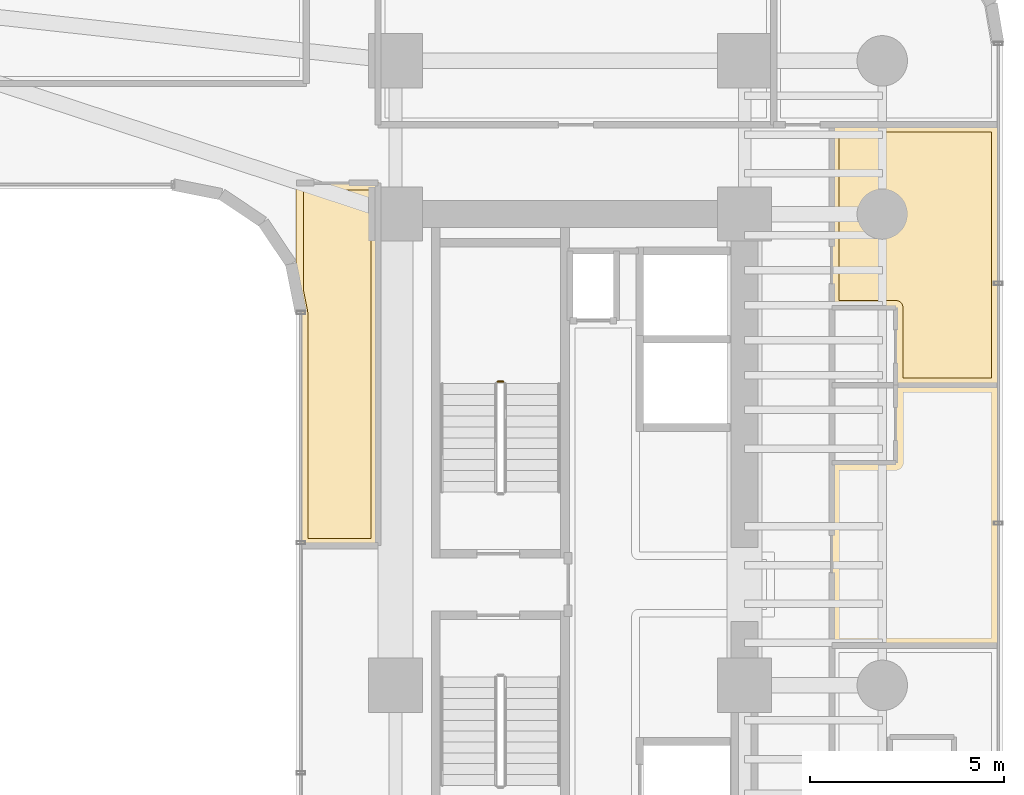
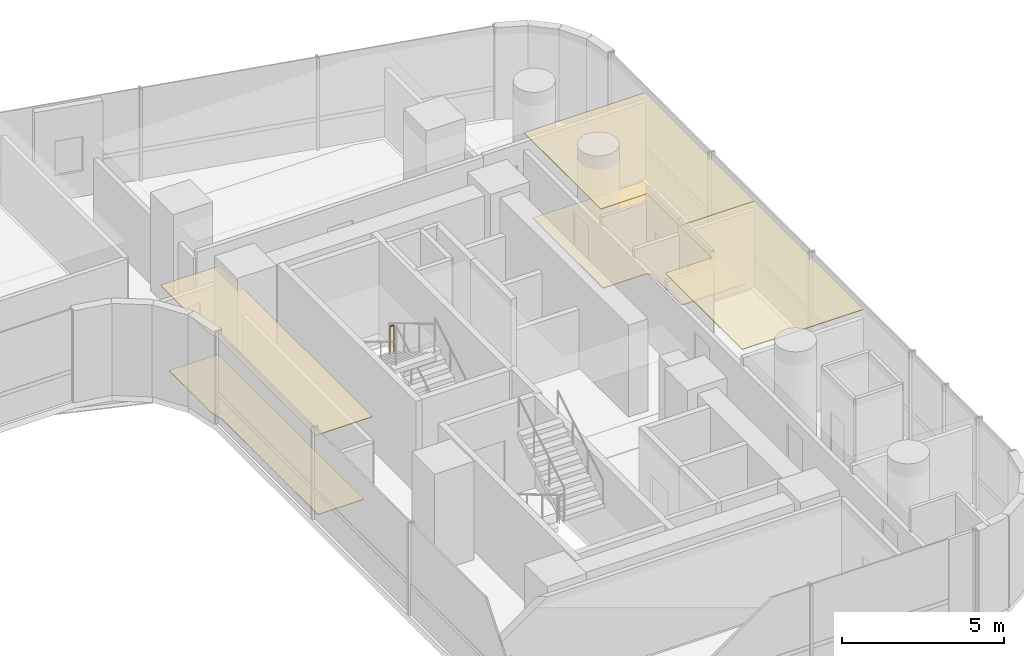
# One storey, part 38 of 39: 5 coverings, 1 railing.
"""IFC4 building model written with IfcOpenShell, lengths in metres."""

from ifc_helpers import new_model, si_unit, direction, frame, origin, origin_2d, place, context, subcontext, project, spatial, polyline, circle, outline, extrude, material, layer, layer_set, type_object, element, save


model = new_model("IFC4")

# Units and contexts
model_context = context("Model", 3, precision=1e-05, world=origin(), true_north=direction((0.0, 1.0)))
body_context = subcontext(model_context, "Body", "Model", "MODEL_VIEW")
ifc_project = project(units=[si_unit("LENGTHUNIT", "METRE"), si_unit("AREAUNIT", "SQUARE_METRE"), si_unit("VOLUMEUNIT", "CUBIC_METRE"), si_unit("PLANEANGLEUNIT", "RADIAN"), si_unit("MASSUNIT", "GRAM", prefix="KILO")], contexts=[model_context])

# Site, building, storey
site_placement = place(None, origin())
site = spatial("IfcSite", under=ifc_project, at=site_placement, CompositionType="ELEMENT")
building_placement = place(site_placement, origin())
building = spatial("IfcBuilding", under=site, at=building_placement, Name="Valdorenza Pilgrim Sanctuary Tower", CompositionType="ELEMENT")
storey_placement = place(building_placement, frame((0.0, 0.0, 70.39990234375)))
storey = spatial("IfcBuildingStorey", under=building, at=storey_placement, Name="L17", CompositionType="ELEMENT", Elevation=70.39990234375)

# Coverings
ifc_material_1 = material(Name="Micro-perforated acoustic mineral ceiling tile", Category="gypsum")
ifc_layer_1 = layer(ifc_material_1, 0.02490234375, Name="Micro-perforated acoustic mineral ceiling tile")
ifc_layer_set_1 = layer_set([ifc_layer_1], Name="Micro-perforated acoustic mineral ceiling tile")
covering_type_1 = type_object("IfcCoveringType", Name="COV-CLG-ACU", PredefinedType="CEILING", material=ifc_layer_set_1)
covering_1_placement = place(storey_placement, frame((0.0, 0.0, 3.16015625)))
element("IfcCovering", 1, at=covering_1_placement, inside=storey, type_object=covering_type_1, Name="L17 East Sanctuary Guest Room L17-EG3 Acoustic Ceiling", PredefinedType="CEILING", context=body_context, shape_type="SweptSolid", body=[
    extrude(outline(polyline([(27.0849609375, 3.135986328125), (27.085205078125, 3.137451171875), (27.085205078125, 3.138916015625), (27.085693359375, 3.140380859375), (27.086181640625, 3.1416015625), (27.0869140625, 3.14306640625), (27.08740234375, 3.144287109375), (27.08837890625, 3.1455078125), (27.08935546875, 3.146484375), (27.090576171875, 3.147705078125), (27.091796875, 3.1484375), (27.093017578125, 3.149169921875), (27.09423828125, 3.14990234375), (27.095703125, 3.150390625), (27.09716796875, 3.150634765625), (27.098388671875, 3.15087890625), (27.10009765625, 3.15087890625), (28.737060546875, 3.15087890625), (28.737060546875, 5.137939453125), (28.737060546875, 5.139404296875), (28.7373046875, 5.140869140625), (28.737548828125, 5.142333984375), (28.738037109375, 5.143798828125), (28.73876953125, 5.14501953125), (28.739501953125, 5.146240234375), (28.740478515625, 5.1474609375), (28.741455078125, 5.148681640625), (28.742431640625, 5.149658203125), (28.74365234375, 5.150390625), (28.744873046875, 5.151123046875), (28.746337890625, 5.15185546875), (28.74755859375, 5.15234375), (28.7490234375, 5.152587890625), (28.75048828125, 5.15283203125), (28.751953125, 5.153076171875), (31.389892578125, 5.153076171875), (31.3916015625, 5.15283203125), (31.392822265625, 5.152587890625), (31.394287109375, 5.15234375), (31.395751953125, 5.15185546875), (31.397216796875, 5.151123046875), (31.398193359375, 5.150390625), (31.3994140625, 5.149658203125), (31.400634765625, 5.148681640625), (31.401611328125, 5.1474609375), (31.402587890625, 5.146240234375), (31.4033203125, 5.14501953125), (31.40380859375, 5.143798828125), (31.404296875, 5.142333984375), (31.40478515625, 5.140869140625), (31.40478515625, 5.139404296875), (31.405029296875, 5.137939453125), (31.405029296875, -1.572998046875), (31.40478515625, -1.574462890625), (31.40478515625, -1.575927734375), (31.404296875, -1.577392578125), (31.40380859375, -1.57861328125), (31.4033203125, -1.580078125), (31.402587890625, -1.581298828125), (31.401611328125, -1.58251953125), (31.400634765625, -1.58349609375), (31.3994140625, -1.584716796875), (31.398193359375, -1.58544921875), (31.397216796875, -1.586181640625), (31.395751953125, -1.5869140625), (31.394287109375, -1.58740234375), (31.392822265625, -1.587646484375), (31.3916015625, -1.587890625), (31.389892578125, -1.587890625), (27.10009765625, -1.587890625), (27.098388671875, -1.587890625), (27.09716796875, -1.587646484375), (27.095703125, -1.58740234375), (27.09423828125, -1.5869140625), (27.093017578125, -1.586181640625), (27.091796875, -1.58544921875), (27.090576171875, -1.584716796875), (27.08935546875, -1.58349609375), (27.08837890625, -1.58251953125), (27.08740234375, -1.581298828125), (27.0869140625, -1.580078125), (27.086181640625, -1.57861328125), (27.085693359375, -1.577392578125), (27.085205078125, -1.575927734375), (27.085205078125, -1.574462890625), (27.0849609375, -1.572998046875), (27.0849609375, 3.135986328125)])), origin(), (0.0, 0.0, 1.0), 0.02490234375),
])
covering_2_placement = place(storey_placement, frame((0.0, 0.0, 3.16015625)))
element("IfcCovering", 2, at=covering_2_placement, inside=storey, type_object=covering_type_1, Name="L17 East Sanctuary Guest Room L17-EG4 Acoustic Ceiling", PredefinedType="CEILING", context=body_context, shape_type="SweptSolid", body=[
    extrude(outline(polyline([(28.737060546875, 7.125), (27.10009765625, 7.125), (27.098388671875, 7.125), (27.09716796875, 7.125244140625), (27.095703125, 7.12548828125), (27.09423828125, 7.126220703125), (27.093017578125, 7.126708984375), (27.091796875, 7.12744140625), (27.090576171875, 7.12841796875), (27.08935546875, 7.12939453125), (27.08837890625, 7.130615234375), (27.08740234375, 7.131591796875), (27.0869140625, 7.1328125), (27.086181640625, 7.13427734375), (27.085693359375, 7.135498046875), (27.085205078125, 7.13720703125), (27.085205078125, 7.138427734375), (27.0849609375, 7.139892578125), (27.0849609375, 11.847900390625), (27.085205078125, 11.849609375), (27.085205078125, 11.850830078125), (27.085693359375, 11.852294921875), (27.086181640625, 11.853759765625), (27.0869140625, 11.85498046875), (27.08740234375, 11.856201171875), (27.08837890625, 11.857421875), (27.08935546875, 11.858642578125), (27.090576171875, 11.859619140625), (27.091796875, 11.860595703125), (27.093017578125, 11.861083984375), (27.09423828125, 11.86181640625), (27.095703125, 11.8623046875), (27.09716796875, 11.86279296875), (27.098388671875, 11.86279296875), (27.10009765625, 11.863037109375), (31.389892578125, 11.863037109375), (31.3916015625, 11.86279296875), (31.392822265625, 11.86279296875), (31.394287109375, 11.8623046875), (31.395751953125, 11.86181640625), (31.397216796875, 11.861083984375), (31.398193359375, 11.860595703125), (31.3994140625, 11.859619140625), (31.400634765625, 11.858642578125), (31.401611328125, 11.857421875), (31.402587890625, 11.856201171875), (31.4033203125, 11.85498046875), (31.40380859375, 11.853759765625), (31.404296875, 11.852294921875), (31.40478515625, 11.850830078125), (31.40478515625, 11.849609375), (31.405029296875, 11.847900390625), (31.405029296875, 5.139892578125), (31.40478515625, 5.138427734375), (31.40478515625, 5.13720703125), (31.404296875, 5.135498046875), (31.40380859375, 5.13427734375), (31.4033203125, 5.1328125), (31.402587890625, 5.131591796875), (31.401611328125, 5.130615234375), (31.400634765625, 5.12939453125), (31.3994140625, 5.12841796875), (31.398193359375, 5.12744140625), (31.397216796875, 5.126708984375), (31.395751953125, 5.126220703125), (31.394287109375, 5.12548828125), (31.392822265625, 5.125244140625), (31.3916015625, 5.125), (31.389892578125, 5.125), (28.751953125, 5.125), (28.75048828125, 5.125), (28.7490234375, 5.125244140625), (28.74755859375, 5.12548828125), (28.746337890625, 5.126220703125), (28.744873046875, 5.126708984375), (28.74365234375, 5.12744140625), (28.742431640625, 5.12841796875), (28.741455078125, 5.12939453125), (28.740478515625, 5.130615234375), (28.739501953125, 5.131591796875), (28.73876953125, 5.1328125), (28.738037109375, 5.13427734375), (28.737548828125, 5.135498046875), (28.7373046875, 5.13720703125), (28.737060546875, 5.138427734375), (28.737060546875, 5.139892578125), (28.737060546875, 7.125)])), origin(), (0.0, 0.0, 1.0), 0.02490234375),
])
covering_3_placement = place(storey_placement, frame((0.0, 0.0, 3.16015625)))
element("IfcCovering", 3, at=covering_3_placement, inside=storey, type_object=covering_type_1, Name="L17 Courtyard Overlook Salon L17 Acoustic Ceiling", PredefinedType="CEILING", context=body_context, shape_type="SweptSolid", body=[
    extrude(outline(polyline([(15.39990234375, 10.364990234375), (15.401611328125, 10.364990234375), (15.40283203125, 10.36474609375), (15.404296875, 10.364501953125), (15.40576171875, 10.364013671875), (15.406982421875, 10.36328125), (15.408203125, 10.362548828125), (15.409423828125, 10.361572265625), (15.41064453125, 10.360595703125), (15.41162109375, 10.359619140625), (15.41259765625, 10.3583984375), (15.4130859375, 10.357177734375), (15.413818359375, 10.355712890625), (15.414306640625, 10.3544921875), (15.414794921875, 10.352783203125), (15.414794921875, 10.3515625), (15.4150390625, 10.35009765625), (15.4150390625, 1.0), (15.414794921875, 0.99853515625), (15.414794921875, 0.9970703125), (15.414306640625, 0.99560546875), (15.413818359375, 0.994384765625), (15.4130859375, 0.992919921875), (15.41259765625, 0.99169921875), (15.41162109375, 0.990478515625), (15.41064453125, 0.989501953125), (15.409423828125, 0.98828125), (15.408203125, 0.987548828125), (15.406982421875, 0.98681640625), (15.40576171875, 0.986083984375), (15.404296875, 0.985595703125), (15.40283203125, 0.9853515625), (15.401611328125, 0.985107421875), (15.39990234375, 0.985107421875), (13.409912109375, 0.985107421875), (13.408447265625, 0.985107421875), (13.406982421875, 0.9853515625), (13.405517578125, 0.985595703125), (13.404296875, 0.986083984375), (13.40283203125, 0.98681640625), (13.401611328125, 0.987548828125), (13.400390625, 0.98828125), (13.3994140625, 0.989501953125), (13.3984375, 0.990478515625), (13.3974609375, 0.99169921875), (13.396728515625, 0.992919921875), (13.39599609375, 0.994384765625), (13.3955078125, 0.99560546875), (13.395263671875, 0.9970703125), (13.39501953125, 0.99853515625), (13.39501953125, 1.0), (13.39501953125, 6.99951171875), (13.39453125, 7.00927734375), (13.39306640625, 7.018798828125), (13.285400390625, 7.560791015625), (13.28515625, 7.562255859375), (13.284912109375, 7.563720703125), (13.284912109375, 10.35009765625), (13.28515625, 10.3515625), (13.285400390625, 10.352783203125), (13.28564453125, 10.3544921875), (13.2861328125, 10.355712890625), (13.286865234375, 10.357177734375), (13.28759765625, 10.3583984375), (13.288330078125, 10.359619140625), (13.289306640625, 10.360595703125), (13.29052734375, 10.361572265625), (13.291748046875, 10.362548828125), (13.29296875, 10.36328125), (13.294189453125, 10.364013671875), (13.295654296875, 10.364501953125), (13.297119140625, 10.36474609375), (13.298583984375, 10.364990234375), (13.300048828125, 10.364990234375), (15.39990234375, 10.364990234375)])), origin(), (0.0, 0.0, 1.0), 0.02490234375),
])
ifc_material_2 = material(Name="Engineered European oak timber flooring", Category="wood")
ifc_layer_2 = layer(ifc_material_2, 0.02197265625, Name="Engineered European oak timber flooring")
ifc_layer_set_2 = layer_set([ifc_layer_2], Name="Engineered European oak timber flooring")
covering_type_2 = type_object("IfcCoveringType", Name="COV-FLR-OAK", PredefinedType="FLOORING", material=ifc_layer_set_2)
covering_4_placement = place(storey_placement, origin())
element("IfcCovering", 4, at=covering_4_placement, inside=storey, type_object=covering_type_2, Name="L17 East Sanctuary Guest Room L17-EG4 Flooring", PredefinedType="FLOORING", context=body_context, shape_type="SweptSolid", body=[
    extrude(outline(polyline([(31.2099609375, 5.320068359375), (28.931884765625, 5.320068359375), (28.931884765625, 7.137939453125), (28.931884765625, 7.146728515625), (28.931884765625, 7.14697265625), (28.929931640625, 7.16455078125), (28.929931640625, 7.164794921875), (28.926513671875, 7.18212890625), (28.926513671875, 7.182373046875), (28.92138671875, 7.19921875), (28.92138671875, 7.199462890625), (28.91455078125, 7.2158203125), (28.91455078125, 7.2158203125), (28.90625, 7.2314453125), (28.906005859375, 7.231689453125), (28.896240234375, 7.246337890625), (28.89599609375, 7.24658203125), (28.885009765625, 7.260009765625), (28.884765625, 7.26025390625), (28.872314453125, 7.272705078125), (28.8720703125, 7.27294921875), (28.8583984375, 7.2841796875), (28.8583984375, 7.2841796875), (28.843505859375, 7.294189453125), (28.843505859375, 7.294189453125), (28.827880859375, 7.302490234375), (28.82763671875, 7.302490234375), (28.811279296875, 7.309326171875), (28.811279296875, 7.309326171875), (28.794189453125, 7.314453125), (28.794189453125, 7.314697265625), (28.77685546875, 7.318115234375), (28.776611328125, 7.318115234375), (28.759033203125, 7.31982421875), (28.7587890625, 7.31982421875), (28.75, 7.320068359375), (27.280029296875, 7.320068359375), (27.280029296875, 11.66796875), (31.2099609375, 11.66796875), (31.2099609375, 5.320068359375)])), origin(), (0.0, 0.0, 1.0), 0.025146484375),
])
ifc_material_3 = material(Name="Honed travertine stone flooring", Category="masonry")
ifc_layer_3 = layer(ifc_material_3, 0.030029296875, Name="Honed travertine stone flooring")
ifc_layer_set_3 = layer_set([ifc_layer_3], Name="Honed travertine stone flooring")
covering_type_3 = type_object("IfcCoveringType", Name="COV-FLR-TRV", PredefinedType="FLOORING", material=ifc_layer_set_3)
covering_5_placement = place(storey_placement, origin())
element("IfcCovering", 5, at=covering_5_placement, inside=storey, type_object=covering_type_3, Name="L17 Courtyard Overlook Salon L17 Flooring", PredefinedType="FLOORING", context=body_context, shape_type="SweptSolid", body=[
    extrude(outline(polyline([(15.219970703125, 10.169921875), (15.219970703125, 1.179931640625), (13.590087890625, 1.179931640625), (13.590087890625, 7.0), (13.58984375, 7.0087890625), (13.58935546875, 7.01953125), (13.58740234375, 7.037109375), (13.5859375, 7.0478515625), (13.58447265625, 7.056640625), (13.47998046875, 7.58154296875), (13.47998046875, 10.169921875), (15.219970703125, 10.169921875)])), origin(), (0.0, 0.0, 1.0), 0.025146484375),
])

# Railing
ifc_material_4 = material(Name="Stainless steel Grade 316", Category="steel")
railing_type = type_object("IfcRailingType", Name="RLG-GRD-1120", PredefinedType="GUARDRAIL", material=ifc_material_4)
railing_placement = place(storey_placement, frame((18.6298828125, 5.22998046875, 1.85009765625)))
element("IfcRailing", 6, at=railing_placement, inside=storey, type_object=railing_type, Name="L17 ST-B1 stair guard 2", PredefinedType="GUARDRAIL", context=body_context, shape_type="SweptSolid", body=[
    extrude(circle(Radius=0.02392578125, at=origin_2d()), frame((0.0, 0.0, 1.076171875), z_axis=(-1.0, 0.0, 0.0), x_axis=(0.0, -1.0, 0.0)), (0.0, 0.0, 1.0), 0.14990234375),
    extrude(circle(Radius=0.02099609375, at=origin_2d()), origin(), (0.0, 0.0, 1.0), 1.052001953125),
    extrude(circle(Radius=0.02099609375, at=origin_2d()), frame((-0.14990234375, 0.0, 0.0)), (0.0, 0.0, 1.0), 1.052001953125),
])

save(model, "model.ifc")
